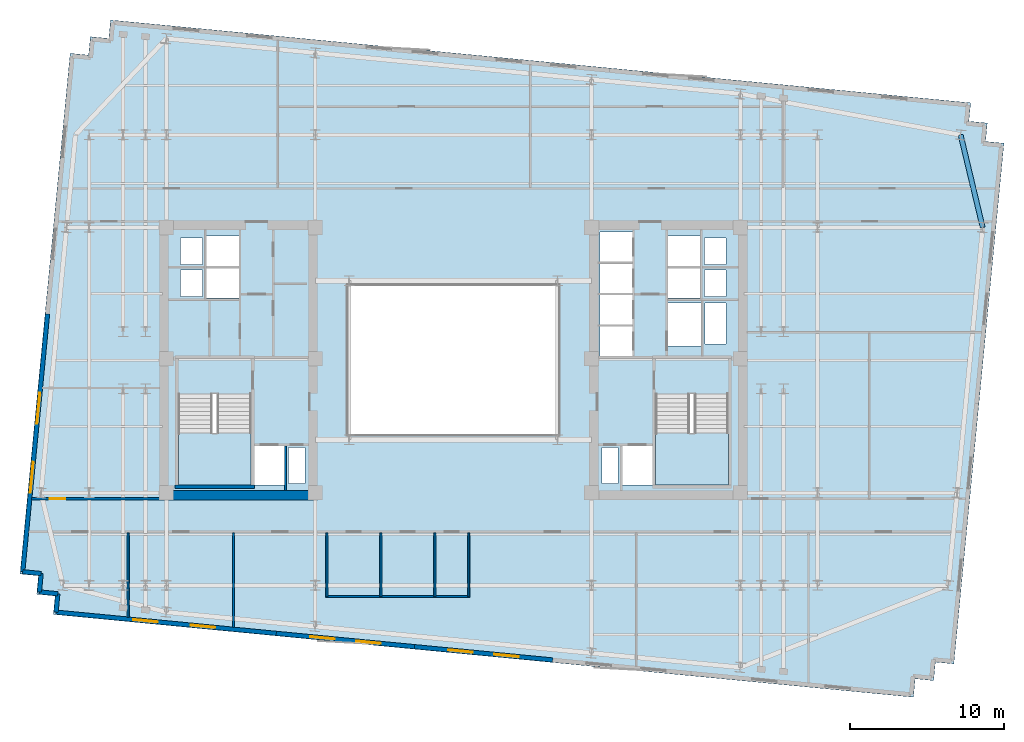
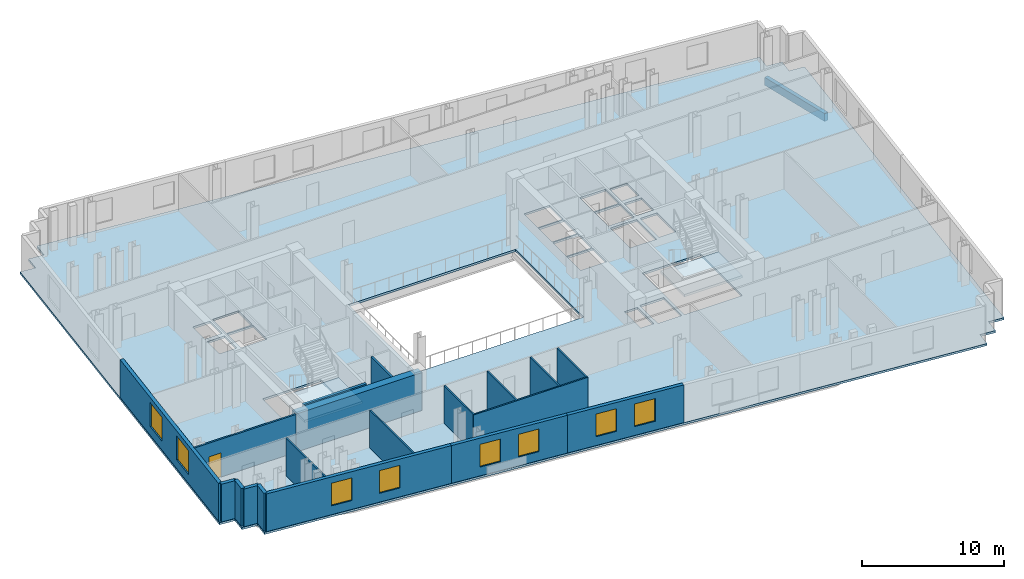
# One storey, part 3 of 9: 19 walls, 8 windows, 3 slabs, 1 beam, 1 door, 9 openings, 2 elements without a shape of their own.
"""IFC4 building model written with IfcOpenShell, lengths in metres."""

from ifc_helpers import new_model, si_unit, direction, frame, frame_2d, origin, origin_2d, place, context, subcontext, project, spatial, polyline, rectangle, outline, extrude, material, layer, layer_set, material_profile, profile_set, type_object, element, fill, aggregate, save


model = new_model("IFC4")

# Units and contexts
model_context = context("Model", 3, precision=1e-05, world=origin(), true_north=direction((0.0, 1.0)))
body_context = subcontext(model_context, "Body", "Model", "MODEL_VIEW")
ifc_project = project(units=[si_unit("LENGTHUNIT", "METRE"), si_unit("AREAUNIT", "SQUARE_METRE"), si_unit("VOLUMEUNIT", "CUBIC_METRE"), si_unit("PLANEANGLEUNIT", "RADIAN"), si_unit("MASSUNIT", "GRAM", prefix="KILO")], contexts=[model_context])

# Site, building, storey
site_placement = place(None, origin())
site = spatial("IfcSite", under=ifc_project, at=site_placement, CompositionType="ELEMENT")
building_placement = place(site_placement, origin())
building = spatial("IfcBuilding", under=site, at=building_placement, Name="Velakula Bourse", CompositionType="ELEMENT")
storey_placement = place(building_placement, frame((0.0, 0.0, 184.550048828125)))
storey = spatial("IfcBuildingStorey", under=building, at=storey_placement, Name="L50", CompositionType="ELEMENT", Elevation=184.550048828125)

# Beam
ifc_material_1 = material(Name="Precast concrete M45 (fck 45 MPa)", Category="concrete")
ifc_material_profile = material_profile(ifc_material_1, rectangle(XDim=0.320068359375, YDim=0.679931640625, at=origin_2d()), Name="Precast concrete M45 (fck 45 MPa)")
ifc_profile_set = profile_set([ifc_material_profile], Name="Precast concrete M45 (fck 45 MPa)")
beam_type = type_object("IfcBeamType", Name="SPN-BRICK-680", PredefinedType="SPANDREL", material=ifc_profile_set)
beam_placement = place(storey_placement, frame((34.30517578125, 8.60009765625, -0.52001953125), z_axis=(-0.232091371601, 0.972693988482, 0.0), x_axis=(-0.972693988482, -0.232091371601, 0.0)))
element("IfcBeam", 1, at=beam_placement, inside=storey, type_object=beam_type, Name="L50 Brick-Faced Precast Spandrel E3-E4", PredefinedType="SPANDREL", context=body_context, shape_type="SweptSolid", body=[
    extrude(rectangle(XDim=0.320068359375, YDim=0.679931640625, at=origin_2d()), origin(), (0.0, 0.0, 1.0), 6.16845703125),
])

# Stair, slab
ifc_material_2 = material(Name="Concrete M45 (fck 45 MPa)", Category="concrete")
stair_type = type_object("IfcStairType", Name="STR-DOG-390", PredefinedType="HALF_TURN_STAIR", material=ifc_material_2)
stair_1_placement = place(storey_placement, origin())
stair_1 = element("IfcStair", 2, at=stair_1_placement, inside=storey, type_object=stair_type, Name="L50 West Core Exit Stair ST-W1", PredefinedType="HALF_TURN_STAIR")
ifc_layer_1 = layer(ifc_material_2, 0.199951171875, Name="Concrete M45 (fck 45 MPa)", Category="concrete")
ifc_layer_set_1 = layer_set([ifc_layer_1], Name="Concrete M45 (fck 45 MPa)")
slab_type_1 = type_object("IfcSlabType", Name="SLB-STAIR-LND-200", PredefinedType="LANDING", material=ifc_layer_set_1)
slab_1_placement = place(storey_placement, frame((0.0, 0.0, 1.52490234375)))
slab_1 = element("IfcSlab", 3, at=slab_1_placement, type_object=slab_type_1, Name="ST-W1 landing 1", PredefinedType="LANDING", context=body_context, shape_type="SweptSolid", body=[
    extrude(outline(polyline([(-17.820068359375, -4.719970703125), (-17.820068359375, -8.10009765625), (-13.10009765625, -8.10009765625), (-13.10009765625, -4.719970703125), (-17.820068359375, -4.719970703125)])), origin(), (0.0, 0.0, 1.0), 0.199951171875),
])
aggregate(stair_1, [slab_1])

stair_2_placement = place(storey_placement, origin())
stair_2 = element("IfcStair", 4, at=stair_2_placement, inside=storey, type_object=stair_type, Name="L50 East Core Exit Stair ST-E1", PredefinedType="HALF_TURN_STAIR")
slab_2_placement = place(storey_placement, frame((0.0, 0.0, 1.52490234375)))
slab_2 = element("IfcSlab", 5, at=slab_2_placement, type_object=slab_type_1, Name="ST-E1 landing 1", PredefinedType="LANDING", context=body_context, shape_type="SweptSolid", body=[
    extrude(outline(polyline([(13.10009765625, -4.719970703125), (13.10009765625, -8.10009765625), (17.820068359375, -8.10009765625), (17.820068359375, -4.719970703125), (13.10009765625, -4.719970703125)])), origin(), (0.0, 0.0, 1.0), 0.199951171875),
])
aggregate(stair_2, [slab_2])

# Slab
ifc_material_3 = material(Name="Concrete M50 (fck 50 MPa)", Category="concrete")
ifc_layer_2 = layer(ifc_material_3, 0.179931640625, Name="Concrete M50 (fck 50 MPa)", Category="concrete")
ifc_layer_set_2 = layer_set([ifc_layer_2], Name="Concrete M50 (fck 50 MPa)")
slab_type_2 = type_object("IfcSlabType", Name="SLB-TWR-180", PredefinedType="FLOOR", material=ifc_layer_set_2)
slab_3_placement = place(storey_placement, frame((0.0, 0.0, -0.179931640625)))
element("IfcSlab", 6, at=slab_3_placement, inside=storey, type_object=slab_type_2, Name="L50 Suspended Structural Floor Slab", PredefinedType="FLOOR", context=body_context, shape_type="SweptSolid", body=[
    extrude(outline(polyline([(-25.92578125, -16.477294921875), (29.81640625, -21.844482421875), (29.931396484375, -20.650146484375), (31.1259765625, -20.76513671875), (31.240966796875, -19.570556640625), (32.435546875, -19.685791015625), (35.6845703125, 14.058349609375), (34.490234375, 14.17333984375), (34.605224609375, 15.36767578125), (33.41064453125, 15.482666015625), (33.525634765625, 16.67724609375), (-22.216552734375, 22.044677734375), (-22.33154296875, 20.85009765625), (-23.52587890625, 20.965087890625), (-23.640869140625, 19.770751953125), (-24.83544921875, 19.8857421875), (-28.084716796875, -13.858154296875), (-26.89013671875, -13.973388671875), (-27.005126953125, -15.167724609375), (-25.810791015625, -15.28271484375), (-25.92578125, -16.477294921875)]), holes=[polyline([(-17.820068359375, -8.10009765625), (-13.10009765625, -8.10009765625), (-13.10009765625, -2.199951171875), (-17.820068359375, -2.199951171875), (-17.820068359375, -8.10009765625)]), polyline([(13.10009765625, -8.10009765625), (17.820068359375, -8.10009765625), (17.820068359375, -2.199951171875), (13.10009765625, -2.199951171875), (13.10009765625, -8.10009765625)]), polyline([(-12.89990234375, -8.10009765625), (-10.949951171875, -8.10009765625), (-10.949951171875, -5.550048828125), (-12.89990234375, -5.550048828125), (-12.89990234375, -8.10009765625)]), polyline([(10.949951171875, -8.10009765625), (12.89990234375, -8.10009765625), (12.89990234375, -5.550048828125), (10.949951171875, -5.550048828125), (10.949951171875, -8.10009765625)]), polyline([(13.89990234375, 0.919921875), (16.050048828125, 0.919921875), (16.050048828125, 3.719970703125), (13.89990234375, 3.719970703125), (13.89990234375, 0.919921875)]), polyline([(-10.679931640625, -7.97998046875), (-9.6201171875, -7.97998046875), (-9.6201171875, -5.669921875), (-10.679931640625, -5.669921875), (-10.679931640625, -7.97998046875)]), polyline([(-17.679931640625, 4.139892578125), (-16.27001953125, 4.139892578125), (-16.27001953125, 5.85009765625), (-17.679931640625, 5.85009765625), (-17.679931640625, 4.139892578125)]), polyline([(-17.679931640625, 6.2099609375), (-16.27001953125, 6.2099609375), (-16.27001953125, 7.919921875), (-17.679931640625, 7.919921875), (-17.679931640625, 6.2099609375)]), polyline([(9.6201171875, -7.97998046875), (10.679931640625, -7.97998046875), (10.679931640625, -5.669921875), (9.6201171875, -5.669921875), (9.6201171875, -7.97998046875)]), polyline([(16.27001953125, 4.139892578125), (17.679931640625, 4.139892578125), (17.679931640625, 5.85009765625), (16.27001953125, 5.85009765625), (16.27001953125, 4.139892578125)]), polyline([(16.27001953125, 6.2099609375), (17.679931640625, 6.2099609375), (17.679931640625, 7.919921875), (16.27001953125, 7.919921875), (16.27001953125, 6.2099609375)]), polyline([(16.320068359375, 1.0400390625), (17.679931640625, 1.0400390625), (17.679931640625, 3.699951171875), (16.320068359375, 3.699951171875), (16.320068359375, 1.0400390625)]), polyline([(9.5, 0.280029296875), (11.60009765625, 0.280029296875), (11.60009765625, 2.199951171875), (9.5, 2.199951171875), (9.5, 0.280029296875)]), polyline([(9.5, 2.31005859375), (11.60009765625, 2.31005859375), (11.60009765625, 4.22998046875), (9.5, 4.22998046875), (9.5, 2.31005859375)]), polyline([(9.5, 4.340087890625), (11.60009765625, 4.340087890625), (11.60009765625, 6.260009765625), (9.5, 6.260009765625), (9.5, 4.340087890625)]), polyline([(9.5, 6.3701171875), (11.60009765625, 6.3701171875), (11.60009765625, 8.2900390625), (9.5, 8.2900390625), (9.5, 6.3701171875)]), polyline([(-16.0, 4.02001953125), (-13.89990234375, 4.02001953125), (-13.89990234375, 5.969970703125), (-16.0, 5.969970703125), (-16.0, 4.02001953125)]), polyline([(-16.0, 6.090087890625), (-13.89990234375, 6.090087890625), (-13.89990234375, 8.0400390625), (-16.0, 8.0400390625), (-16.0, 6.090087890625)]), polyline([(13.89990234375, 4.02001953125), (16.0, 4.02001953125), (16.0, 5.969970703125), (13.89990234375, 5.969970703125), (13.89990234375, 4.02001953125)]), polyline([(13.89990234375, 6.090087890625), (16.0, 6.090087890625), (16.0, 8.0400390625), (13.89990234375, 8.0400390625), (13.89990234375, 6.090087890625)]), polyline([(-6.800048828125, -4.800048828125), (6.800048828125, -4.800048828125), (6.800048828125, 4.800048828125), (-6.800048828125, 4.800048828125), (-6.800048828125, -4.800048828125)])]), origin(), (0.0, 0.0, 1.0), 0.179931640625),
])

# Walls
ifc_layer_3 = layer(ifc_material_3, 0.2099609375, Name="Concrete M50 (fck 50 MPa)", Category="concrete")
ifc_layer_set_3 = layer_set([ifc_layer_3], Name="Concrete M50 (fck 50 MPa)")
wall_type_1 = type_object("IfcWallType", Name="WL-CORE-210", PredefinedType="SHEAR", material=ifc_layer_set_3)
wall_1_placement = place(storey_placement, frame((-18.030029296875, -8.205078125, 0.0), z_axis=(0.0, 0.0, 1.0), x_axis=(1.0, 0.0, 0.0)))
element("IfcWall", 7, at=wall_1_placement, inside=storey, type_object=wall_type_1, Name="L50 Core W Stairwell Shear Wall S", PredefinedType="SHEAR", context=body_context, shape_type="SweptSolid", body=[
    extrude(rectangle(XDim=5.14013671875, YDim=0.2099609375, at=frame_2d((2.570068359375, 0.0))), origin(), (0.0, 0.0, 1.0), 3.27001953125),
])
ifc_material_4 = material(Name="Concrete M70 (fck 70 MPa)", Category="concrete")
ifc_layer_4 = layer(ifc_material_4, 0.60009765625, Name="Concrete M70 (fck 70 MPa)", Category="concrete")
ifc_layer_set_4 = layer_set([ifc_layer_4], Name="Concrete M70 (fck 70 MPa)")
wall_type_2 = type_object("IfcWallType", Name="WL-CORE-600", PredefinedType="SHEAR", material=ifc_layer_set_4)
wall_2_placement = place(storey_placement, frame((-19.050048828125, -8.75, 0.0), z_axis=(0.0, 0.0, 1.0), x_axis=(1.0, 0.0, 0.0)))
element("IfcWall", 8, at=wall_2_placement, inside=storey, type_object=wall_type_2, Name="L50 Core W Shear Wall S", PredefinedType="SHEAR", context=body_context, shape_type="SweptSolid", body=[
    extrude(rectangle(XDim=10.25, YDim=0.60009765625, at=frame_2d((5.125, 0.0))), origin(), (0.0, 0.0, 1.0), 3.27001953125),
])

# Wall, openings, windows
ifc_material_5 = material(Name="Red kilned clay facing brick masonry", Category="masonry")
ifc_layer_5 = layer(ifc_material_5, 0.280029296875, Name="Red kilned clay facing brick masonry", Category="masonry")
ifc_layer_set_5 = layer_set([ifc_layer_5], Name="Red kilned clay facing brick masonry")
wall_type_3 = type_object("IfcWallType", Name="WL-EXT-BRK-280", PredefinedType="STANDARD", material=ifc_layer_set_5)
wall_3_placement = place(storey_placement, frame((-11.47705078125, -17.707763671875, 0.0), z_axis=(0.0, 0.0, 1.0), x_axis=(-0.995395762701, 0.095850276977, 0.0)))
wall_3 = element("IfcWall", 9, at=wall_3_placement, inside=storey, type_object=wall_type_3, Name="L50 S Brick Spandrel Wall B1", PredefinedType="STANDARD", context=body_context, shape_type="SweptSolid", body=[
    extrude(rectangle(XDim=14.340087890625, YDim=0.280029296875, at=frame_2d((7.169921875, 0.0))), origin(), (0.0, 0.0, 1.0), 3.25),
])
opening_1_placement = place(wall_3_placement, frame((3.97998046875, 0.0, 0.760009765625)))
opening_1 = element("IfcOpeningElement", 10, at=opening_1_placement, cuts=wall_3, Name="Opening W-02", PredefinedType="OPENING", context=body_context, shape_type="SweptSolid", body=[
    extrude(rectangle(XDim=1.60009765625, YDim=1.949951171875, at=frame_2d((0.800048828125, 0.97509765625))), frame((0.0, 0.14990234375, 0.0), z_axis=(0.0, -1.0, 0.0), x_axis=(1.0, 0.0, 0.0)), (0.0, 0.0, 1.0), 0.300048828125),
])
opening_2_placement = place(wall_3_placement, frame((7.7099609375, 0.0, 0.760009765625)))
opening_2 = element("IfcOpeningElement", 11, at=opening_2_placement, cuts=wall_3, Name="Opening W-02", PredefinedType="OPENING", context=body_context, shape_type="SweptSolid", body=[
    extrude(rectangle(XDim=1.60009765625, YDim=1.949951171875, at=frame_2d((0.800048828125, 0.97509765625))), frame((0.0, 0.14990234375, 0.0), z_axis=(0.0, -1.0, 0.0), x_axis=(1.0, 0.0, 0.0)), (0.0, 0.0, 1.0), 0.300048828125),
])
ifc_material_6 = material(Name="Double-glazed solar-control Low-E glass", Category="glass")
window_type_1 = type_object("IfcWindowType", Name="WIN-TWR-1600x2100", PartitioningType="SINGLE_PANEL", PredefinedType="WINDOW", material=ifc_material_6)
window_1_placement = place(opening_1_placement, origin())
window_1 = element("IfcWindow", 12, at=window_1_placement, inside=storey, type_object=window_type_1, Name="L50 Deep-Set Recessed Window 1", OverallHeight=1.949951171875, OverallWidth=1.60009765625, PartitioningType="SINGLE_PANEL", PredefinedType="WINDOW", context=body_context, shape_type="SweptSolid", body=[
    extrude(rectangle(XDim=1.60009765625, YDim=1.949951171875, at=frame_2d((0.800048828125, 0.97509765625))), frame((0.0, 0.030029296875, 0.0), z_axis=(0.0, -1.0, 0.0), x_axis=(1.0, 0.0, 0.0)), (0.0, 0.0, 1.0), 0.06005859375),
])
fill(opening_1, window_1)
window_2_placement = place(opening_2_placement, origin())
window_2 = element("IfcWindow", 13, at=window_2_placement, inside=storey, type_object=window_type_1, Name="L50 Deep-Set Recessed Window 2", OverallHeight=1.949951171875, OverallWidth=1.60009765625, PartitioningType="SINGLE_PANEL", PredefinedType="WINDOW", context=body_context, shape_type="SweptSolid", body=[
    extrude(rectangle(XDim=1.60009765625, YDim=1.949951171875, at=frame_2d((0.800048828125, 0.97509765625))), frame((0.0, 0.030029296875, 0.0), z_axis=(0.0, -1.0, 0.0), x_axis=(1.0, 0.0, 0.0)), (0.0, 0.0, 1.0), 0.06005859375),
])
fill(opening_2, window_2)

wall_4_placement = place(storey_placement, frame((-2.5185546875, -18.5703125, 0.0), z_axis=(0.0, 0.0, 1.0), x_axis=(-0.995396794462, 0.09583956164, 0.0)))
wall_4 = element("IfcWall", 14, at=wall_4_placement, inside=storey, type_object=wall_type_3, Name="L50 S Brick Spandrel Wall B2", PredefinedType="STANDARD", context=body_context, shape_type="SweptSolid", body=[
    extrude(rectangle(XDim=9.0, YDim=0.280029296875, at=frame_2d((4.5, 0.0))), origin(), (0.0, 0.0, 1.0), 3.25),
])
opening_3_placement = place(wall_4_placement, frame((2.199951171875, 0.0, 0.760009765625)))
opening_3 = element("IfcOpeningElement", 15, at=opening_3_placement, cuts=wall_4, Name="Opening W-02", PredefinedType="OPENING", context=body_context, shape_type="SweptSolid", body=[
    extrude(rectangle(XDim=1.60009765625, YDim=1.949951171875, at=frame_2d((0.800048828125, 0.97509765625))), frame((0.0, 0.14990234375, 0.0), z_axis=(0.0, -1.0, 0.0), x_axis=(1.0, 0.0, 0.0)), (0.0, 0.0, 1.0), 0.300048828125),
])
opening_4_placement = place(wall_4_placement, frame((5.199951171875, 0.0, 0.760009765625)))
opening_4 = element("IfcOpeningElement", 16, at=opening_4_placement, cuts=wall_4, Name="Opening W-02", PredefinedType="OPENING", context=body_context, shape_type="SweptSolid", body=[
    extrude(rectangle(XDim=1.60009765625, YDim=1.949951171875, at=frame_2d((0.800048828125, 0.97509765625))), frame((0.0, 0.14990234375, 0.0), z_axis=(0.0, -1.0, 0.0), x_axis=(1.0, 0.0, 0.0)), (0.0, 0.0, 1.0), 0.300048828125),
])
window_3_placement = place(opening_3_placement, origin())
window_3 = element("IfcWindow", 17, at=window_3_placement, inside=storey, type_object=window_type_1, Name="L50 Deep-Set Recessed Window 1", OverallHeight=1.949951171875, OverallWidth=1.60009765625, PartitioningType="SINGLE_PANEL", PredefinedType="WINDOW", context=body_context, shape_type="SweptSolid", body=[
    extrude(rectangle(XDim=1.60009765625, YDim=1.949951171875, at=frame_2d((0.800048828125, 0.97509765625))), frame((0.0, 0.030029296875, 0.0), z_axis=(0.0, -1.0, 0.0), x_axis=(1.0, 0.0, 0.0)), (0.0, 0.0, 1.0), 0.06005859375),
])
fill(opening_3, window_3)
window_4_placement = place(opening_4_placement, origin())
window_4 = element("IfcWindow", 18, at=window_4_placement, inside=storey, type_object=window_type_1, Name="L50 Deep-Set Recessed Window 2", OverallHeight=1.949951171875, OverallWidth=1.60009765625, PartitioningType="SINGLE_PANEL", PredefinedType="WINDOW", context=body_context, shape_type="SweptSolid", body=[
    extrude(rectangle(XDim=1.60009765625, YDim=1.949951171875, at=frame_2d((0.800048828125, 0.97509765625))), frame((0.0, 0.030029296875, 0.0), z_axis=(0.0, -1.0, 0.0), x_axis=(1.0, 0.0, 0.0)), (0.0, 0.0, 1.0), 0.06005859375),
])
fill(opening_4, window_4)

wall_5_placement = place(storey_placement, frame((6.43994140625, -19.432861328125, 0.0), z_axis=(0.0, 0.0, 1.0), x_axis=(-0.995396794462, 0.09583956164, 0.0)))
wall_5 = element("IfcWall", 19, at=wall_5_placement, inside=storey, type_object=wall_type_3, Name="L50 S Brick Spandrel Wall B3", PredefinedType="STANDARD", context=body_context, shape_type="SweptSolid", body=[
    extrude(rectangle(XDim=9.0, YDim=0.280029296875, at=frame_2d((4.5, 0.0))), origin(), (0.0, 0.0, 1.0), 3.25),
])
opening_5_placement = place(wall_5_placement, frame((2.199951171875, 0.0, 0.760009765625)))
opening_5 = element("IfcOpeningElement", 20, at=opening_5_placement, cuts=wall_5, Name="Opening W-02", PredefinedType="OPENING", context=body_context, shape_type="SweptSolid", body=[
    extrude(rectangle(XDim=1.60009765625, YDim=1.949951171875, at=frame_2d((0.800048828125, 0.97509765625))), frame((0.0, 0.14990234375, 0.0), z_axis=(0.0, -1.0, 0.0), x_axis=(1.0, 0.0, 0.0)), (0.0, 0.0, 1.0), 0.300048828125),
])
opening_6_placement = place(wall_5_placement, frame((5.199951171875, 0.0, 0.760009765625)))
opening_6 = element("IfcOpeningElement", 21, at=opening_6_placement, cuts=wall_5, Name="Opening W-02", PredefinedType="OPENING", context=body_context, shape_type="SweptSolid", body=[
    extrude(rectangle(XDim=1.60009765625, YDim=1.949951171875, at=frame_2d((0.800048828125, 0.97509765625))), frame((0.0, 0.14990234375, 0.0), z_axis=(0.0, -1.0, 0.0), x_axis=(1.0, 0.0, 0.0)), (0.0, 0.0, 1.0), 0.300048828125),
])
window_5_placement = place(opening_5_placement, origin())
window_5 = element("IfcWindow", 22, at=window_5_placement, inside=storey, type_object=window_type_1, Name="L50 Deep-Set Recessed Window 1", OverallHeight=1.949951171875, OverallWidth=1.60009765625, PartitioningType="SINGLE_PANEL", PredefinedType="WINDOW", context=body_context, shape_type="SweptSolid", body=[
    extrude(rectangle(XDim=1.60009765625, YDim=1.949951171875, at=frame_2d((0.800048828125, 0.97509765625))), frame((0.0, 0.030029296875, 0.0), z_axis=(0.0, -1.0, 0.0), x_axis=(1.0, 0.0, 0.0)), (0.0, 0.0, 1.0), 0.06005859375),
])
fill(opening_5, window_5)
window_6_placement = place(opening_6_placement, origin())
window_6 = element("IfcWindow", 23, at=window_6_placement, inside=storey, type_object=window_type_1, Name="L50 Deep-Set Recessed Window 2", OverallHeight=1.949951171875, OverallWidth=1.60009765625, PartitioningType="SINGLE_PANEL", PredefinedType="WINDOW", context=body_context, shape_type="SweptSolid", body=[
    extrude(rectangle(XDim=1.60009765625, YDim=1.949951171875, at=frame_2d((0.800048828125, 0.97509765625))), frame((0.0, 0.030029296875, 0.0), z_axis=(0.0, -1.0, 0.0), x_axis=(1.0, 0.0, 0.0)), (0.0, 0.0, 1.0), 0.06005859375),
])
fill(opening_6, window_6)

wall_6_placement = place(storey_placement, frame((-27.909912109375, -13.71435546875, 0.0), z_axis=(0.0, 0.0, 1.0), x_axis=(0.095839027265, 0.995396845913, 0.0)))
wall_6 = element("IfcWall", 24, at=wall_6_placement, inside=storey, type_object=wall_type_3, Name="L50 W Brick End Wall W1", PredefinedType="STANDARD", context=body_context, shape_type="SweptSolid", body=[
    extrude(rectangle(XDim=16.7900390625, YDim=0.280029296875, at=frame_2d((8.39501953125, 0.0))), origin(), (0.0, 0.0, 1.0), 3.25),
])
opening_7_placement = place(wall_6_placement, frame((5.146728515625, 0.0, 0.760009765625)))
opening_7 = element("IfcOpeningElement", 25, at=opening_7_placement, cuts=wall_6, Name="Opening W-05", PredefinedType="OPENING", context=body_context, shape_type="SweptSolid", body=[
    extrude(rectangle(XDim=2.0, YDim=2.050048828125, at=frame_2d((1.0, 1.02490234375))), frame((0.0, 0.14990234375, 0.0), z_axis=(0.0, -1.0, 0.0), x_axis=(1.0, 0.0, 0.0)), (0.0, 0.0, 1.0), 0.300048828125),
])
opening_8_placement = place(wall_6_placement, frame((9.643310546875, 0.0, 0.760009765625)))
opening_8 = element("IfcOpeningElement", 26, at=opening_8_placement, cuts=wall_6, Name="Opening W-05", PredefinedType="OPENING", context=body_context, shape_type="SweptSolid", body=[
    extrude(rectangle(XDim=2.0, YDim=2.050048828125, at=frame_2d((1.0, 1.02490234375))), frame((0.0, 0.14990234375, 0.0), z_axis=(0.0, -1.0, 0.0), x_axis=(1.0, 0.0, 0.0)), (0.0, 0.0, 1.0), 0.300048828125),
])
window_type_2 = type_object("IfcWindowType", Name="WIN-TWR-2000x2200", PartitioningType="DOUBLE_PANEL_VERTICAL", PredefinedType="WINDOW", material=ifc_material_6)
window_7_placement = place(opening_7_placement, origin())
window_7 = element("IfcWindow", 27, at=window_7_placement, inside=storey, type_object=window_type_2, Name="L50 Deep-Set Recessed Window 1", OverallHeight=2.050048828125, OverallWidth=2.0, PartitioningType="DOUBLE_PANEL_VERTICAL", PredefinedType="WINDOW", context=body_context, shape_type="SweptSolid", body=[
    extrude(rectangle(XDim=2.0, YDim=2.050048828125, at=frame_2d((1.0, 1.02490234375))), frame((0.0, 0.030029296875, 0.0), z_axis=(0.0, -1.0, 0.0), x_axis=(1.0, 0.0, 0.0)), (0.0, 0.0, 1.0), 0.06005859375),
])
fill(opening_7, window_7)
window_8_placement = place(opening_8_placement, origin())
window_8 = element("IfcWindow", 28, at=window_8_placement, inside=storey, type_object=window_type_2, Name="L50 Deep-Set Recessed Window 2", OverallHeight=2.050048828125, OverallWidth=2.0, PartitioningType="DOUBLE_PANEL_VERTICAL", PredefinedType="WINDOW", context=body_context, shape_type="SweptSolid", body=[
    extrude(rectangle(XDim=2.0, YDim=2.050048828125, at=frame_2d((1.0, 1.02490234375))), frame((0.0, 0.030029296875, 0.0), z_axis=(0.0, -1.0, 0.0), x_axis=(1.0, 0.0, 0.0)), (0.0, 0.0, 1.0), 0.06005859375),
])
fill(opening_8, window_8)

# Walls
wall_7_placement = place(storey_placement, frame((-27.909912109375, -13.71435546875, 0.0), z_axis=(0.0, 0.0, 1.0), x_axis=(0.995397091755, -0.095836473879, 0.0)))
element("IfcWall", 29, at=wall_7_placement, inside=storey, type_object=wall_type_3, Name="L50 Serrated Corner Brick Wall SW-1", PredefinedType="STANDARD", context=body_context, shape_type="SweptSolid", body=[
    extrude(rectangle(XDim=1.199951171875, YDim=0.280029296875, at=frame_2d((0.60009765625, 0.0))), origin(), (0.0, 0.0, 1.0), 3.25),
])
for number, where, z_axis, x_axis, name in (
    (30, (-26.715576171875, -13.829345703125, 0.0), (0.0, 0.0, 1.0), (-0.095817067274, -0.995398960025, 0.0), "L50 Serrated Corner Brick Wall SW-2"),
    (31, (-26.83056640625, -15.02392578125, 0.0), (0.0, 0.0, 1.0), (0.995398960025, -0.095817067274, 0.0), "L50 Serrated Corner Brick Wall SW-3"),
):
    element("IfcWall", number, at=place(storey_placement, frame(where, z_axis=z_axis, x_axis=x_axis)), inside=storey, type_object=wall_type_3, Name=name, PredefinedType="STANDARD", context=body_context, shape_type="SweptSolid", body=[
        extrude(rectangle(XDim=1.2001953125, YDim=0.280029296875, at=frame_2d((0.60009765625, 0.0))), origin(), (0.0, 0.0, 1.0), 3.25),
    ])
wall_8_placement = place(storey_placement, frame((-25.635986328125, -15.138916015625, 0.0), z_axis=(0.0, 0.0, 1.0), x_axis=(-0.096038073607, -0.995377661201, 0.0)))
element("IfcWall", 32, at=wall_8_placement, inside=storey, type_object=wall_type_3, Name="L50 Serrated Corner Brick Wall SW-4", PredefinedType="STANDARD", context=body_context, shape_type="SweptSolid", body=[
    extrude(rectangle(XDim=1.199951171875, YDim=0.280029296875, at=frame_2d((0.60009765625, 0.0))), origin(), (0.0, 0.0, 1.0), 3.25),
])
ifc_material_7 = material(Name="Fire-rated double-layer gypsum drywall partition", Category="gypsum")
ifc_layer_6 = layer(ifc_material_7, 0.1201171875, Name="Fire-rated double-layer gypsum drywall partition", Category="gypsum")
ifc_layer_set_6 = layer_set([ifc_layer_6], Name="Fire-rated double-layer gypsum drywall partition")
wall_type_4 = type_object("IfcWallType", Name="WL-PART-120", PredefinedType="STANDARD", material=ifc_layer_set_6)
wall_9_placement = place(storey_placement, frame((-8.260009765625, -15.320068359375, 0.0), z_axis=(0.0, 0.0, 1.0), x_axis=(1.0, 0.0, 0.0)))
element("IfcWall", 33, at=wall_9_placement, inside=storey, type_object=wall_type_4, Name="L50 Interior Partition WL-WC-L50-BACK", PredefinedType="STANDARD", context=body_context, shape_type="SweptSolid", body=[
    extrude(rectangle(XDim=9.320068359375, YDim=0.1201171875, at=frame_2d((4.66015625, 0.0))), origin(), (0.0, 0.0, 1.0), 3.25),
])
for number, where, z_axis, x_axis, name in (
    (34, (-8.199951171875, -15.320068359375, 0.0), (0.0, 0.0, 1.0), (0.0, 1.0, 0.0), "L50 Interior Partition WL-WC-L50-V1"),
    (35, (-4.699951171875, -15.320068359375, 0.0), (0.0, 0.0, 1.0), (0.0, 1.0, 0.0), "L50 Interior Partition WL-WC-L50-V2"),
    (36, (-1.199951171875, -15.320068359375, 0.0), (0.0, 0.0, 1.0), (0.0, 1.0, 0.0), "L50 Interior Partition WL-WC-L50-V3"),
    (37, (1.0, -15.320068359375, 0.0), (0.0, 0.0, 1.0), (0.0, 1.0, 0.0), "L50 Interior Partition WL-WC-L50-V4"),
):
    element("IfcWall", number, at=place(storey_placement, frame(where, z_axis=z_axis, x_axis=x_axis)), inside=storey, type_object=wall_type_4, Name=name, PredefinedType="STANDARD", context=body_context, shape_type="SweptSolid", body=[
        extrude(rectangle(XDim=4.130126953125, YDim=0.1201171875, at=frame_2d((2.06494140625, 0.0))), origin(), (0.0, 0.0, 1.0), 3.25),
    ])
wall_10_placement = place(storey_placement, frame((-21.0791015625, -16.66259765625, 0.0), z_axis=(0.0, 0.0, 1.0), x_axis=(0.0, 1.0, 0.0)))
element("IfcWall", 38, at=wall_10_placement, inside=storey, type_object=wall_type_4, Name="L50 Interior Partition WL-INT-L50-SL-D5", PredefinedType="STANDARD", context=body_context, shape_type="SweptSolid", body=[
    extrude(rectangle(XDim=5.47265625, YDim=0.1201171875, at=frame_2d((2.736328125, 0.0))), origin(), (0.0, 0.0, 1.0), 3.25),
])
wall_11_placement = place(storey_placement, frame((-14.2490234375, -17.3203125, 0.0), z_axis=(0.0, 0.0, 1.0), x_axis=(0.0, 1.0, 0.0)))
element("IfcWall", 39, at=wall_11_placement, inside=storey, type_object=wall_type_4, Name="L50 Interior Partition WL-INT-L50-SL-D6", PredefinedType="STANDARD", context=body_context, shape_type="SweptSolid", body=[
    extrude(rectangle(XDim=6.13037109375, YDim=0.1201171875, at=frame_2d((3.065185546875, 0.0))), origin(), (0.0, 0.0, 1.0), 3.25),
])

# Wall, opening, door
ifc_layer_7 = layer(ifc_material_7, 0.139892578125, Name="Fire-rated double-layer gypsum drywall partition", Category="gypsum")
ifc_layer_set_7 = layer_set([ifc_layer_7], Name="Fire-rated double-layer gypsum drywall partition")
wall_type_5 = type_object("IfcWallType", Name="WL-PART-140", PredefinedType="STANDARD", material=ifc_layer_set_7)
wall_12_placement = place(storey_placement, frame((-27.33349609375, -8.97998046875, 0.0), z_axis=(0.0, 0.0, 1.0), x_axis=(1.0, 0.0, 0.0)))
wall_12 = element("IfcWall", 40, at=wall_12_placement, inside=storey, type_object=wall_type_5, Name="L50 Interior Partition WL-INT-L50-W-SC", PredefinedType="STANDARD", context=body_context, shape_type="SweptSolid", body=[
    extrude(rectangle(XDim=8.283447265625, YDim=0.139892578125, at=frame_2d((4.1416015625, 0.0))), origin(), (0.0, 0.0, 1.0), 3.25),
])
opening_9_placement = place(wall_12_placement, frame((1.17724609375, 0.0, 0.0)))
opening_9 = element("IfcOpeningElement", 41, at=opening_9_placement, cuts=wall_12, Name="Opening D-OF1", PredefinedType="OPENING", context=body_context, shape_type="SweptSolid", body=[
    extrude(rectangle(XDim=1.0, YDim=2.080078125, at=frame_2d((0.5, 1.0400390625))), frame((0.0, 0.079833984375, 0.0), z_axis=(0.0, -1.0, 0.0), x_axis=(1.0, 0.0, 0.0)), (0.0, 0.0, 1.0), 0.159912109375),
])
ifc_material_8 = material(Name="Fire-rated hardwood flush architectural door", Category="wood")
door_type = type_object("IfcDoorType", Name="DR-OFF-1000", OperationType="NOTDEFINED", PredefinedType="DOOR", material=ifc_material_8)
door_placement = place(opening_9_placement, origin())
door = element("IfcDoor", 42, at=door_placement, inside=storey, type_object=door_type, Name="L50 Commodity Futures Workspace Door", OperationType="SINGLE_SWING_LEFT", OverallHeight=2.080078125, OverallWidth=1.0, PredefinedType="DOOR", context=body_context, shape_type="SweptSolid", body=[
    extrude(rectangle(XDim=1.0, YDim=2.080078125, at=frame_2d((0.5, 1.0400390625))), frame((0.0, 0.02490234375, 0.0), z_axis=(0.0, -1.0, 0.0), x_axis=(1.0, 0.0, 0.0)), (0.0, 0.0, 1.0), 0.050048828125),
])
fill(opening_9, door)

# Wall
ifc_material_9 = material(Name="Autoclaved aerated concrete blockwork masonry", Category="masonry")
ifc_layer_8 = layer(ifc_material_9, 0.14990234375, Name="Autoclaved aerated concrete blockwork masonry", Category="masonry")
ifc_layer_set_8 = layer_set([ifc_layer_8], Name="Autoclaved aerated concrete blockwork masonry")
wall_type_6 = type_object("IfcWallType", Name="WL-SHAFT-150", PredefinedType="STANDARD", material=ifc_layer_set_8)
wall_13_placement = place(storey_placement, frame((-10.875, -8.449951171875, 0.0), z_axis=(0.0, 0.0, 1.0), x_axis=(0.0, 1.0, 0.0)))
element("IfcWall", 43, at=wall_13_placement, inside=storey, type_object=wall_type_6, Name="L50 Interior Partition WL-CRW-L50-FR-DIV", PredefinedType="STANDARD", context=body_context, shape_type="SweptSolid", body=[
    extrude(rectangle(XDim=2.89990234375, YDim=0.14990234375, at=frame_2d((1.449951171875, 0.0))), origin(), (0.0, 0.0, 1.0), 3.25),
])

save(model, "model.ifc")
